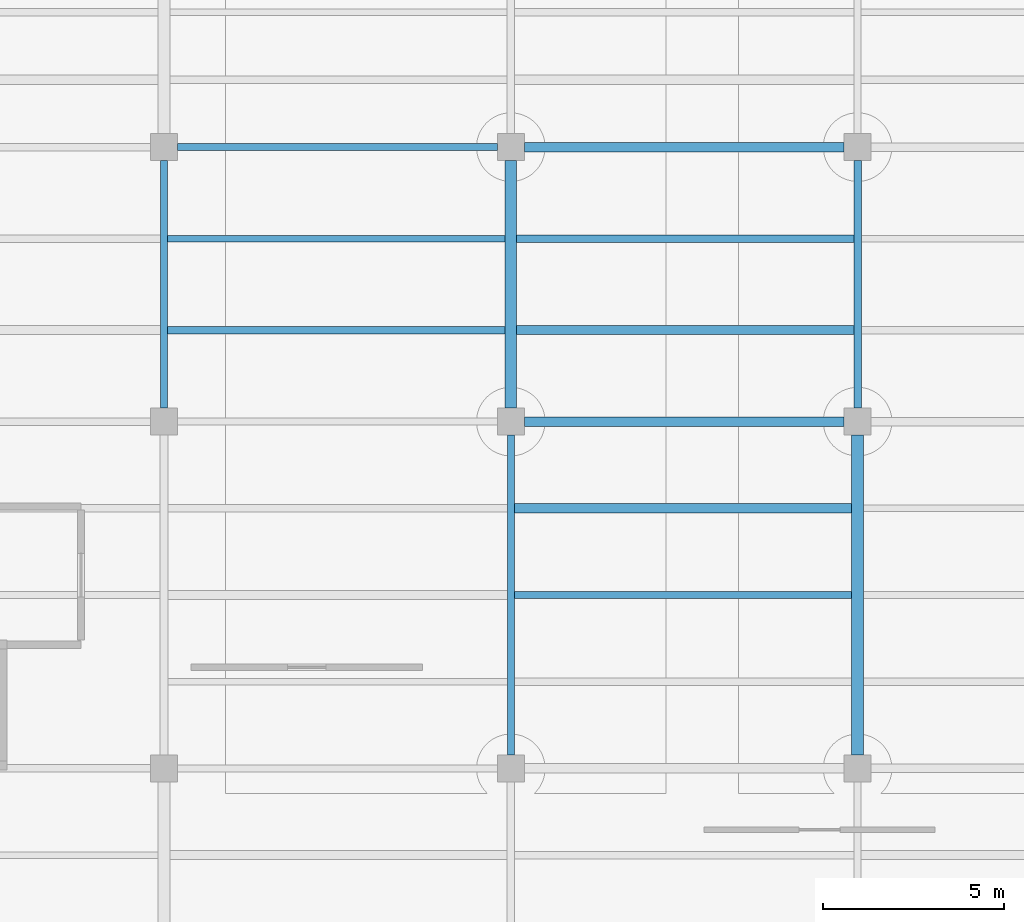
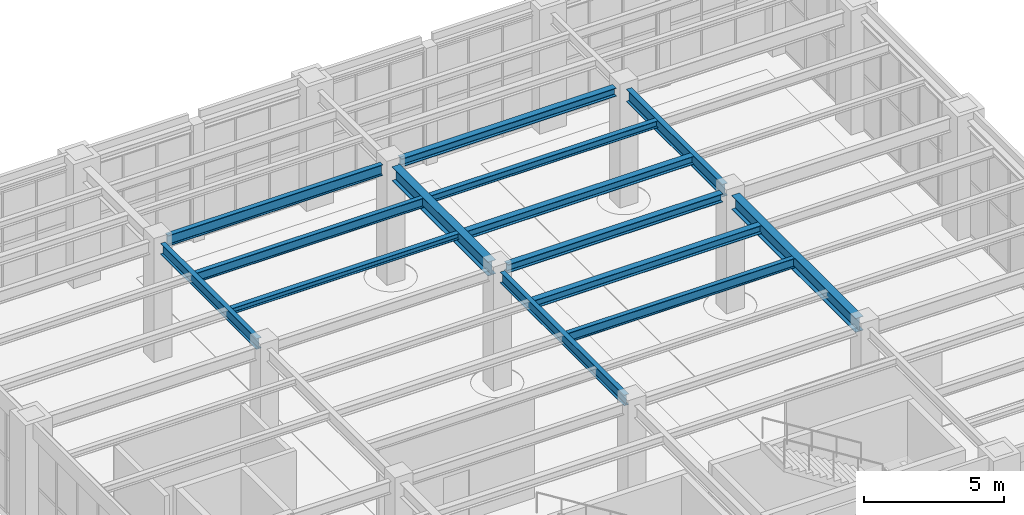
# One storey, part 74 of 164: 14 beams.
"""IFC4 building model written with IfcOpenShell, lengths in metres."""

from ifc_helpers import new_model, si_unit, direction, frame, origin, origin_2d, place, context, subcontext, project, spatial, i_section, extrude, material, material_profile, profile_set, type_object, element, save


model = new_model("IFC4")

# Units and contexts
model_context = context("Model", 3, precision=1e-05, world=origin(), true_north=direction((0.0, 1.0)))
body_context = subcontext(model_context, "Body", "Model", "MODEL_VIEW")
ifc_project = project(units=[si_unit("LENGTHUNIT", "METRE"), si_unit("AREAUNIT", "SQUARE_METRE"), si_unit("VOLUMEUNIT", "CUBIC_METRE"), si_unit("PLANEANGLEUNIT", "RADIAN"), si_unit("MASSUNIT", "GRAM", prefix="KILO")], contexts=[model_context])

# Site, building, storey
site_placement = place(None, origin())
site = spatial("IfcSite", under=ifc_project, at=site_placement, CompositionType="ELEMENT")
building_placement = place(site_placement, origin())
building = spatial("IfcBuilding", under=site, at=building_placement, Name="Mavantir Sound Aquarium", CompositionType="ELEMENT")
storey_placement = place(building_placement, origin())
storey = spatial("IfcBuildingStorey", under=building, at=storey_placement, Name="L00", CompositionType="ELEMENT", Elevation=0.0)

# Beams
ifc_material = material(Name="Structural Steel ASTM A992 Gr50", Category="steel")
ifc_material_profile_1 = material_profile(ifc_material, i_section(OverallWidth=0.202880859375, OverallDepth=0.251953125, WebThickness=0.008056640625, FlangeThickness=0.013427734375, FilletRadius=0.011962890625, at=origin_2d()), Name="W250X58")
ifc_profile_set_1 = profile_set([ifc_material_profile_1], Name="Structural Steel ASTM A992 Gr50")
beam_type_1 = type_object("IfcBeamType", Name="BM-W250X58-I", PredefinedType="JOIST", material=ifc_profile_set_1)
beam_1_placement = place(storey_placement, frame((9.697021484375, 105.333251953125, 4.969970703125), z_axis=(1.0, 0.0, 0.0), x_axis=(0.0, 1.0, 0.0)))
element("IfcBeam", 1, at=beam_1_placement, inside=storey, type_object=beam_type_1, Name="L00 secondary floor joist SJ-25 596", PredefinedType="JOIST", context=body_context, shape_type="SweptSolid", body=[
    extrude(i_section(OverallWidth=0.202880859375, OverallDepth=0.251953125, WebThickness=0.008056640625, FlangeThickness=0.013427734375, FilletRadius=0.011962890625, at=origin_2d()), origin(), (0.0, 0.0, 1.0), 9.341064453125),
])
ifc_material_profile_2 = material_profile(ifc_material, i_section(OverallWidth=0.205078125, OverallDepth=0.31005859375, WebThickness=0.009521484375, FlangeThickness=0.016357421875, FilletRadius=0.012939453125, at=origin_2d()), Name="W310X74")
ifc_profile_set_2 = profile_set([ifc_material_profile_2], Name="Structural Steel ASTM A992 Gr50")
beam_type_2 = type_object("IfcBeamType", Name="BM-W310X74-I", PredefinedType="JOIST", material=ifc_profile_set_2)
beam_2_placement = place(storey_placement, frame((19.362060546875, 107.86669921875, 4.94091796875), z_axis=(1.0, 0.0, 0.0), x_axis=(0.0, 1.0, 0.0)))
element("IfcBeam", 2, at=beam_2_placement, inside=storey, type_object=beam_type_2, Name="L00 secondary floor joist SJ-31 599", PredefinedType="JOIST", context=body_context, shape_type="SweptSolid", body=[
    extrude(i_section(OverallWidth=0.205078125, OverallDepth=0.31005859375, WebThickness=0.009521484375, FlangeThickness=0.016357421875, FilletRadius=0.012939453125, at=origin_2d()), origin(), (0.0, 0.0, 1.0), 9.33203125),
])
ifc_material_profile_3 = material_profile(ifc_material, i_section(OverallWidth=0.257080078125, OverallDepth=0.363037109375, WebThickness=0.012939453125, FlangeThickness=0.021728515625, FilletRadius=0.014892578125, at=origin_2d()), Name="W360X122")
ifc_profile_set_3 = profile_set([ifc_material_profile_3], Name="Structural Steel ASTM A992 Gr50")
beam_type_3 = type_object("IfcBeamType", Name="BM-W360X122-I", PredefinedType="BEAM", material=ifc_profile_set_3)
for number, where, z_axis, x_axis, name in (
    (3, (19.574951171875, 102.800048828125, 4.91455078125), (1.0, 0.0, 0.0), (0.0, 1.0, 0.0), "L00 primary beam SB-36A 1040"),
    (4, (19.574951171875, 110.39990234375, 4.91455078125), (1.0, 0.0, 0.0), (0.0, 1.0, 0.0), "L00 primary beam SB-36A 1044"),
):
    element("IfcBeam", number, at=place(storey_placement, frame(where, z_axis=z_axis, x_axis=x_axis)), inside=storey, type_object=beam_type_3, Name=name, PredefinedType="BEAM", context=body_context, shape_type="SweptSolid", body=[
        extrude(i_section(OverallWidth=0.257080078125, OverallDepth=0.363037109375, WebThickness=0.012939453125, FlangeThickness=0.021728515625, FilletRadius=0.014892578125, at=origin_2d()), origin(), (0.0, 0.0, 1.0), 8.85009765625),
    ])
ifc_material_profile_4 = material_profile(ifc_material, i_section(OverallWidth=0.25390625, OverallDepth=0.35302734375, WebThickness=0.009521484375, FlangeThickness=0.016357421875, FilletRadius=0.014892578125, at=origin_2d()), Name="W360X91")
ifc_profile_set_4 = profile_set([ifc_material_profile_4], Name="Structural Steel ASTM A992 Gr50")
beam_type_4 = type_object("IfcBeamType", Name="BM-W360X91-I", PredefinedType="JOIST", material=ifc_profile_set_4)
beam_3_placement = place(storey_placement, frame((19.297119140625, 100.39990234375, 4.91943359375), z_axis=(1.0, 0.0, 0.0), x_axis=(0.0, 1.0, 0.0)))
element("IfcBeam", 5, at=beam_3_placement, inside=storey, type_object=beam_type_4, Name="L00 secondary floor joist SJ-36 590", PredefinedType="JOIST", context=body_context, shape_type="SweptSolid", body=[
    extrude(i_section(OverallWidth=0.25390625, OverallDepth=0.35302734375, WebThickness=0.009521484375, FlangeThickness=0.016357421875, FilletRadius=0.014892578125, at=origin_2d()), origin(), (0.0, 0.0, 1.0), 9.3408203125),
])
beam_4_placement = place(storey_placement, frame((19.362060546875, 105.333251953125, 4.91943359375), z_axis=(1.0, 0.0, 0.0), x_axis=(0.0, 1.0, 0.0)))
element("IfcBeam", 6, at=beam_4_placement, inside=storey, type_object=beam_type_4, Name="L00 secondary floor joist SJ-36 598", PredefinedType="JOIST", context=body_context, shape_type="SweptSolid", body=[
    extrude(i_section(OverallWidth=0.25390625, OverallDepth=0.35302734375, WebThickness=0.009521484375, FlangeThickness=0.016357421875, FilletRadius=0.014892578125, at=origin_2d()), origin(), (0.0, 0.0, 1.0), 9.33203125),
])
ifc_material_profile_5 = material_profile(ifc_material, i_section(OverallWidth=0.180908203125, OverallDepth=0.4169921875, WebThickness=0.010986328125, FlangeThickness=0.018310546875, FilletRadius=0.014892578125, at=origin_2d()), Name="W410X85")
ifc_profile_set_5 = profile_set([ifc_material_profile_5], Name="Structural Steel ASTM A992 Gr50")
beam_type_5 = type_object("IfcBeamType", Name="BM-W410X85-I", PredefinedType="JOIST", material=ifc_profile_set_5)
beam_5_placement = place(storey_placement, frame((19.297119140625, 98.0, 4.887451171875), z_axis=(1.0, 0.0, 0.0), x_axis=(0.0, 1.0, 0.0)))
element("IfcBeam", 7, at=beam_5_placement, inside=storey, type_object=beam_type_5, Name="L00 secondary floor joist SJ-41 589", PredefinedType="JOIST", context=body_context, shape_type="SweptSolid", body=[
    extrude(i_section(OverallWidth=0.180908203125, OverallDepth=0.4169921875, WebThickness=0.010986328125, FlangeThickness=0.018310546875, FilletRadius=0.014892578125, at=origin_2d()), origin(), (0.0, 0.0, 1.0), 9.3408203125),
])
beam_6_placement = place(storey_placement, frame((9.697021484375, 107.86669921875, 4.887451171875), z_axis=(1.0, 0.0, 0.0), x_axis=(0.0, 1.0, 0.0)))
element("IfcBeam", 8, at=beam_6_placement, inside=storey, type_object=beam_type_5, Name="L00 secondary floor joist SJ-41 597", PredefinedType="JOIST", context=body_context, shape_type="SweptSolid", body=[
    extrude(i_section(OverallWidth=0.180908203125, OverallDepth=0.4169921875, WebThickness=0.010986328125, FlangeThickness=0.018310546875, FilletRadius=0.014892578125, at=origin_2d()), origin(), (0.0, 0.0, 1.0), 9.341064453125),
])
ifc_material_profile_6 = material_profile(ifc_material, i_section(OverallWidth=0.194091796875, OverallDepth=0.468994140625, WebThickness=0.0126953125, FlangeThickness=0.0205078125, FilletRadius=0.01611328125, at=origin_2d()), Name="W460X106")
ifc_profile_set_6 = profile_set([ifc_material_profile_6], Name="Structural Steel ASTM A992 Gr50")
beam_type_6 = type_object("IfcBeamType", Name="BM-W460X106-I", PredefinedType="BEAM", material=ifc_profile_set_6)
beam_7_placement = place(storey_placement, frame((9.97509765625, 110.39990234375, 4.861572265625), z_axis=(1.0, 0.0, 0.0), x_axis=(0.0, 1.0, 0.0)))
element("IfcBeam", 9, at=beam_7_placement, inside=storey, type_object=beam_type_6, Name="L00 primary beam SB-46 1043", PredefinedType="BEAM", context=body_context, shape_type="SweptSolid", body=[
    extrude(i_section(OverallWidth=0.194091796875, OverallDepth=0.468994140625, WebThickness=0.0126953125, FlangeThickness=0.0205078125, FilletRadius=0.01611328125, at=origin_2d()), origin(), (0.0, 0.0, 1.0), 8.849853515625),
])
beam_8_placement = place(storey_placement, frame((9.60009765625, 103.175048828125, 4.861572265625), z_axis=(0.0, 1.0, 0.0), x_axis=(-1.0, 0.0, 0.0)))
element("IfcBeam", 10, at=beam_8_placement, inside=storey, type_object=beam_type_6, Name="L00 primary girder SB-46 1056", PredefinedType="BEAM", context=body_context, shape_type="SweptSolid", body=[
    extrude(i_section(OverallWidth=0.194091796875, OverallDepth=0.468994140625, WebThickness=0.0126953125, FlangeThickness=0.0205078125, FilletRadius=0.01611328125, at=origin_2d()), origin(), (0.0, 0.0, 1.0), 6.849853515625),
])
beam_9_placement = place(storey_placement, frame((19.199951171875, 93.574951171875, 4.861572265625), z_axis=(0.0, 1.0, 0.0), x_axis=(-1.0, 0.0, 0.0)))
element("IfcBeam", 11, at=beam_9_placement, inside=storey, type_object=beam_type_6, Name="L00 primary girder SB-46 1059", PredefinedType="BEAM", context=body_context, shape_type="SweptSolid", body=[
    extrude(i_section(OverallWidth=0.194091796875, OverallDepth=0.468994140625, WebThickness=0.0126953125, FlangeThickness=0.0205078125, FilletRadius=0.01611328125, at=origin_2d()), origin(), (0.0, 0.0, 1.0), 8.85009765625),
])
ifc_material_profile_7 = material_profile(ifc_material, i_section(OverallWidth=0.2119140625, OverallDepth=0.5439453125, WebThickness=0.01318359375, FlangeThickness=0.021240234375, FilletRadius=0.01806640625, at=origin_2d()), Name="W530X123")
ifc_profile_set_7 = profile_set([ifc_material_profile_7], Name="Structural Steel ASTM A992 Gr50")
beam_type_7 = type_object("IfcBeamType", Name="BM-W530X123-I", PredefinedType="BEAM", material=ifc_profile_set_7)
beam_10_placement = place(storey_placement, frame((28.800048828125, 103.175048828125, 4.823974609375), z_axis=(0.0, 1.0, 0.0), x_axis=(-1.0, 0.0, 0.0)))
element("IfcBeam", 12, at=beam_10_placement, inside=storey, type_object=beam_type_7, Name="L00 primary girder SB-53 1064", PredefinedType="BEAM", context=body_context, shape_type="SweptSolid", body=[
    extrude(i_section(OverallWidth=0.2119140625, OverallDepth=0.5439453125, WebThickness=0.01318359375, FlangeThickness=0.021240234375, FilletRadius=0.01806640625, at=origin_2d()), origin(), (0.0, 0.0, 1.0), 6.849853515625),
])
ifc_material_profile_8 = material_profile(ifc_material, i_section(OverallWidth=0.323974609375, OverallDepth=0.611083984375, WebThickness=0.0126953125, FlangeThickness=0.01904296875, FilletRadius=0.01904296875, at=origin_2d()), Name="W610X155")
ifc_profile_set_8 = profile_set([ifc_material_profile_8], Name="Structural Steel ASTM A992 Gr50")
beam_type_8 = type_object("IfcBeamType", Name="BM-W610X155-I", PredefinedType="BEAM", material=ifc_profile_set_8)
beam_11_placement = place(storey_placement, frame((19.199951171875, 103.175048828125, 4.79052734375), z_axis=(0.0, 1.0, 0.0), x_axis=(-1.0, 0.0, 0.0)))
element("IfcBeam", 13, at=beam_11_placement, inside=storey, type_object=beam_type_8, Name="L00 primary girder SB-61A 1060", PredefinedType="BEAM", context=body_context, shape_type="SweptSolid", body=[
    extrude(i_section(OverallWidth=0.323974609375, OverallDepth=0.611083984375, WebThickness=0.0126953125, FlangeThickness=0.01904296875, FilletRadius=0.01904296875, at=origin_2d()), origin(), (0.0, 0.0, 1.0), 6.849853515625),
])
beam_12_placement = place(storey_placement, frame((28.800048828125, 93.574951171875, 4.79052734375), z_axis=(0.0, 1.0, 0.0), x_axis=(-1.0, 0.0, 0.0)))
element("IfcBeam", 14, at=beam_12_placement, inside=storey, type_object=beam_type_8, Name="L00 primary girder SB-61A 1063", PredefinedType="BEAM", context=body_context, shape_type="SweptSolid", body=[
    extrude(i_section(OverallWidth=0.323974609375, OverallDepth=0.611083984375, WebThickness=0.0126953125, FlangeThickness=0.01904296875, FilletRadius=0.01904296875, at=origin_2d()), origin(), (0.0, 0.0, 1.0), 8.85009765625),
])

save(model, "model.ifc")
